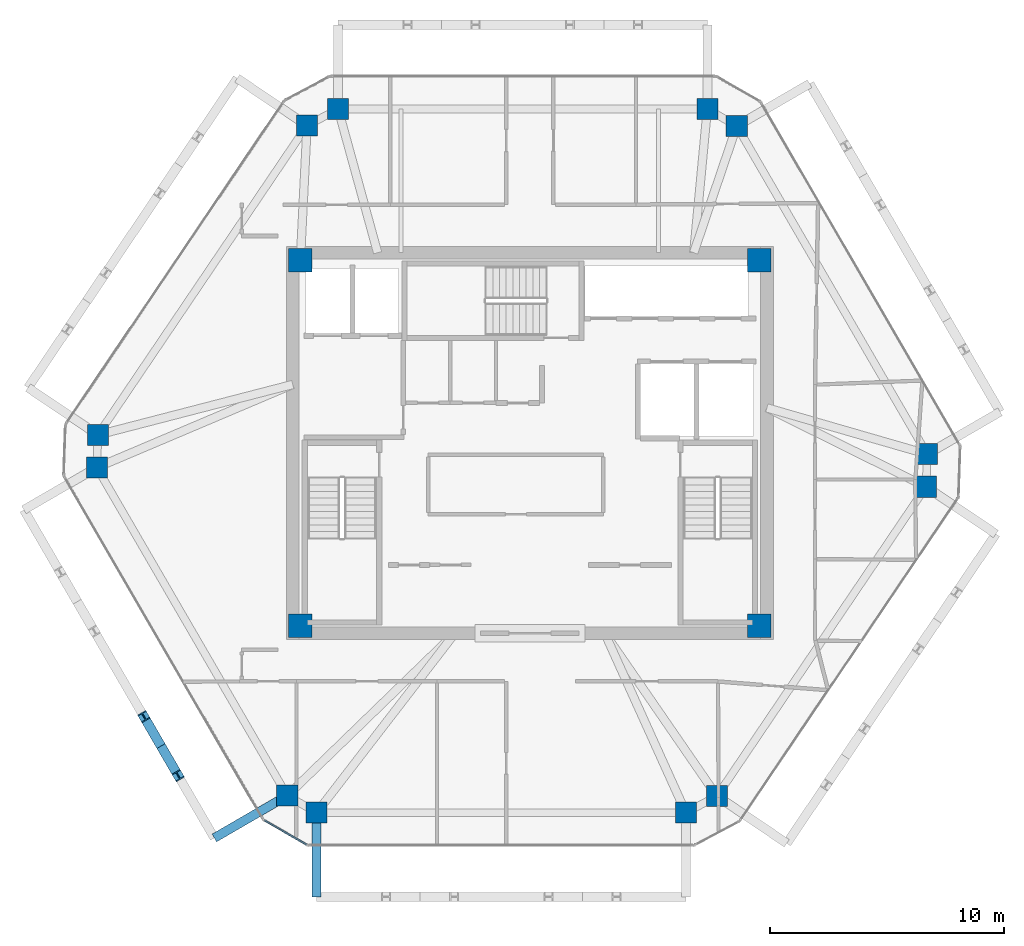
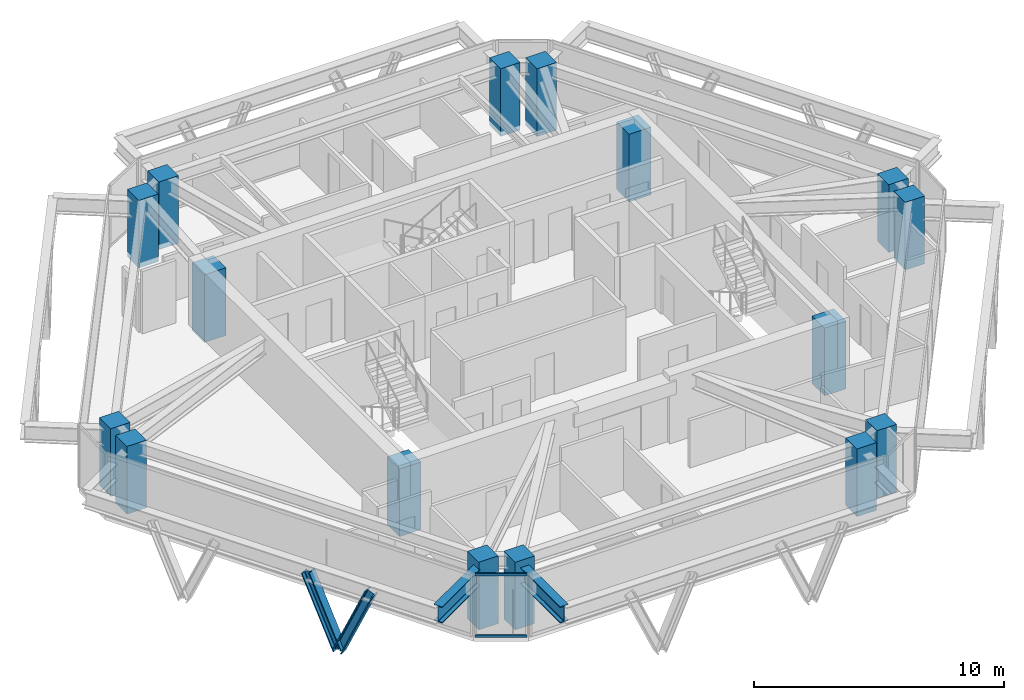
# One storey, part 1 of 11: 16 columns, 4 members, 2 beams, 1 element without a shape of its own.
"""IFC4 building model written with IfcOpenShell, lengths in metres."""

from ifc_helpers import new_model, si_unit, direction, frame, origin, origin_2d, place, context, subcontext, project, spatial, rectangle, i_section, extrude, source, transform, mapped, material, layer, layer_set, material_profile, profile_set, type_object, type_shapes, element, aggregate, save


model = new_model("IFC4")

# Units and contexts
model_context = context("Model", 3, precision=1e-05, world=origin(), true_north=direction((0.0, 1.0)))
body_context = subcontext(model_context, "Body", "Model", "MODEL_VIEW")
ifc_project = project(units=[si_unit("LENGTHUNIT", "METRE"), si_unit("AREAUNIT", "SQUARE_METRE"), si_unit("VOLUMEUNIT", "CUBIC_METRE"), si_unit("PLANEANGLEUNIT", "RADIAN"), si_unit("MASSUNIT", "GRAM", prefix="KILO")], contexts=[model_context])

# Site, building, storey
site_placement = place(None, origin())
site = spatial("IfcSite", under=ifc_project, at=site_placement, CompositionType="ELEMENT")
building_placement = place(site_placement, origin())
building = spatial("IfcBuilding", under=site, at=building_placement, Name="Durnholm Broadcast Tower", CompositionType="ELEMENT")
storey_placement = place(building_placement, frame((0.0, 0.0, 231.5)))
storey = spatial("IfcBuildingStorey", under=building, at=storey_placement, Name="L64", CompositionType="ELEMENT", Elevation=231.5)

# Columns
ifc_material_1 = material(Name="Concrete C70/85", Category="concrete")
ifc_material_profile_1 = material_profile(ifc_material_1, rectangle(XDim=1.0, YDim=1.0, at=origin_2d()), Name="RC1000X1000")
ifc_profile_set_1 = profile_set([ifc_material_profile_1], Name="Concrete C70/85")
column_type_1 = type_object("IfcColumnType", Name="COL-CC-1000", PredefinedType="COLUMN", material=ifc_profile_set_1)
shared_shape_1 = source(origin(), body_context, "Body", "SweptSolid", [
    extrude(rectangle(XDim=1.0, YDim=1.0, at=origin_2d()), origin(), (0.0, 0.0, 1.0), 3.300048828125),
])
type_shapes(column_type_1, [shared_shape_1])
for number, where, z_axis, x_axis, name in (
    (1, (-9.800048828125, -7.800048828125, -0.239990234375), (0.0, 0.0, 1.0), (1.0, 0.0, 0.0), "L64 core corner column 1"),
    (2, (9.800048828125, -7.800048828125, -0.239990234375), (0.0, 0.0, 1.0), (1.0, 0.0, 0.0), "L64 core corner column 2"),
    (3, (9.800048828125, 7.800048828125, -0.239990234375), (0.0, 0.0, 1.0), (1.0, 0.0, 0.0), "L64 core corner column 3"),
    (4, (-9.800048828125, 7.800048828125, -0.239990234375), (0.0, 0.0, 1.0), (1.0, 0.0, 0.0), "L64 core corner column 4"),
):
    element("IfcColumn", number, at=place(storey_placement, frame(where, z_axis=z_axis, x_axis=x_axis)), inside=storey, type_object=column_type_1, Name=name, PredefinedType="COLUMN", context=body_context, shape_type="MappedRepresentation", body=[
        mapped(shared_shape_1, transform((0.0, 0.0, 0.0), x_axis=(1.0, 0.0, 0.0), y_axis=(0.0, 1.0, 0.0), z_axis=(0.0, 0.0, 1.0), scale=1.0)),
    ])
ifc_material_profile_2 = material_profile(ifc_material_1, rectangle(XDim=0.89990234375, YDim=0.89990234375, at=origin_2d()), Name="RC900X900")
ifc_profile_set_2 = profile_set([ifc_material_profile_2], Name="Concrete C70/85")
column_type_2 = type_object("IfcColumnType", Name="COL-CC-900", PredefinedType="COLUMN", material=ifc_profile_set_2)
shared_shape_2 = source(origin(), body_context, "Body", "SweptSolid", [
    extrude(rectangle(XDim=0.89990234375, YDim=0.89990234375, at=origin_2d()), origin(), (0.0, 0.0, 1.0), 3.300048828125),
])
type_shapes(column_type_2, [shared_shape_2])
for number, where, z_axis, x_axis, name in (
    (5, (-10.361328125, -15.061767578125, -0.239990234375), (0.0, 0.0, 1.0), (1.0, 0.0, 0.0), "L64 perimeter hexagonal tube column 01"),
    (6, (-18.494384765625, -1.0478515625, -0.239990234375), (0.0, 0.0, 1.0), (1.0, 0.0, 0.0), "L64 perimeter hexagonal tube column 02"),
    (7, (-18.4462890625, 0.345947265625, -0.239990234375), (0.0, 0.0, 1.0), (1.0, 0.0, 0.0), "L64 perimeter hexagonal tube column 03"),
    (8, (-9.514892578125, 13.557373046875, -0.239990234375), (0.0, 0.0, 1.0), (1.0, 0.0, 0.0), "L64 perimeter hexagonal tube column 04"),
    (9, (-8.187744140625, 14.261962890625, -0.239990234375), (0.0, 0.0, 1.0), (1.0, 0.0, 0.0), "L64 perimeter hexagonal tube column 05"),
    (10, (7.57958984375, 14.261962890625, -0.239990234375), (0.0, 0.0, 1.0), (1.0, 0.0, 0.0), "L64 perimeter hexagonal tube column 06"),
    (11, (8.83740234375, 13.53759765625, -0.239990234375), (0.0, 0.0, 1.0), (1.0, 0.0, 0.0), "L64 perimeter hexagonal tube column 07"),
    (12, (16.97021484375, -0.47607421875, -0.239990234375), (0.0, 0.0, 1.0), (1.0, 0.0, 0.0), "L64 perimeter hexagonal tube column 08"),
    (13, (16.92236328125, -1.869873046875, -0.239990234375), (0.0, 0.0, 1.0), (1.0, 0.0, 0.0), "L64 perimeter hexagonal tube column 09"),
    (14, (7.990966796875, -15.081298828125, -0.239990234375), (0.0, 0.0, 1.0), (1.0, 0.0, 0.0), "L64 perimeter hexagonal tube column 10"),
    (15, (6.663818359375, -15.785888671875, -0.239990234375), (0.0, 0.0, 1.0), (1.0, 0.0, 0.0), "L64 perimeter hexagonal tube column 11"),
    (16, (-9.103759765625, -15.785888671875, -0.239990234375), (0.0, 0.0, 1.0), (1.0, 0.0, 0.0), "L64 perimeter hexagonal tube column 12"),
):
    element("IfcColumn", number, at=place(storey_placement, frame(where, z_axis=z_axis, x_axis=x_axis)), inside=storey, type_object=column_type_2, Name=name, PredefinedType="COLUMN", context=body_context, shape_type="MappedRepresentation", body=[
        mapped(shared_shape_2, transform((0.0, 0.0, 0.0), x_axis=(1.0, 0.0, 0.0), y_axis=(0.0, 1.0, 0.0), z_axis=(0.0, 0.0, 1.0), scale=1.0)),
    ])

# Beams
ifc_material_2 = material(Name="Steel ASTM A992 Grade 50", Category="steel")
ifc_material_profile_3 = material_profile(ifc_material_2, i_section(OverallWidth=0.385009765625, OverallDepth=0.802978515625, WebThickness=0.023681640625, FlangeThickness=0.0419921875, FilletRadius=0.032958984375, at=origin_2d()), Name="W30X261")
ifc_profile_set_3 = profile_set([ifc_material_profile_3], Name="Steel ASTM A992 Grade 50")
beam_type = type_object("IfcBeamType", Name="BM-EXO-TIE", PredefinedType="USERDEFINED", material=ifc_profile_set_3)
shared_shape_3 = source(origin(), body_context, "Body", "SweptSolid", [
    extrude(i_section(OverallWidth=0.385009765625, OverallDepth=0.802978515625, WebThickness=0.023681640625, FlangeThickness=0.0419921875, FilletRadius=0.032958984375, at=origin_2d()), origin(), (0.0, 0.0, 1.0), 3.4560546875),
])
type_shapes(beam_type, [shared_shape_3])
for number, where, z_axis, x_axis, name in (
    (17, (-9.103759765625, -15.929931640625, 2.30859375), (0.0, -1.0, 0.0), (1.0, 0.0, 0.0), "L64 exoskeleton stand-off tie bracket F1.1"),
    (18, (-10.48583984375, -15.134033203125, 2.30859375), (-0.864924479231, -0.501902027518, 0.0), (0.501902027518, -0.864924479231, 0.0), "L64 exoskeleton stand-off tie bracket F6.2"),
):
    element("IfcBeam", number, at=place(storey_placement, frame(where, z_axis=z_axis, x_axis=x_axis)), inside=storey, type_object=beam_type, Name=name, ObjectType="GIRDER", PredefinedType="USERDEFINED", context=body_context, shape_type="MappedRepresentation", body=[
        mapped(shared_shape_3, transform((0.0, 0.0, 0.0), x_axis=(1.0, 0.0, 0.0), y_axis=(0.0, 1.0, 0.0), z_axis=(0.0, 0.0, 1.0), scale=1.0)),
    ])

# Members
ifc_material_3 = material(Name="Steel ASTM A913 Grade 65", Category="steel")
ifc_material_profile_4 = material_profile(ifc_material_3, i_section(OverallWidth=0.40625, OverallDepth=0.416015625, WebThickness=0.02978515625, FlangeThickness=0.048095703125, FilletRadius=0.030517578125, at=origin_2d()), Name="W14X257")
ifc_profile_set_4 = profile_set([ifc_material_profile_4], Name="Steel ASTM A913 Grade 65")
member_type_1 = type_object("IfcMemberType", Name="STL-DG-W14X257", PredefinedType="BRACE", material=ifc_profile_set_4)
shared_shape_4 = source(origin(), body_context, "Body", "SweptSolid", [
    extrude(i_section(OverallWidth=0.40625, OverallDepth=0.416015625, WebThickness=0.02978515625, FlangeThickness=0.048095703125, FilletRadius=0.030517578125, at=origin_2d()), origin(), (0.0, 0.0, 1.0), 3.60791015625),
])
type_shapes(member_type_1, [shared_shape_4])
for number, where, z_axis, x_axis, name in (
    (19, (-15.752197265625, -12.94482421875, -0.991455078125), (-0.202871189729, 0.349577240207, 0.914679743685), (-0.864906184135, -0.501933554014, 0.0), "L64 stand-off diagrid brace F6.D2.1"),
    (20, (-15.752197265625, -12.94482421875, -0.991455078125), (0.202871189729, -0.349577240207, 0.914679743685), (0.864906184135, 0.501933554014, 0.0), "L64 stand-off diagrid brace F6.D2.2"),
):
    element("IfcMember", number, at=place(storey_placement, frame(where, z_axis=z_axis, x_axis=x_axis)), inside=storey, type_object=member_type_1, Name=name, PredefinedType="BRACE", context=body_context, shape_type="MappedRepresentation", body=[
        mapped(shared_shape_4, transform((0.0, 0.0, 0.0), x_axis=(1.0, 0.0, 0.0), y_axis=(0.0, 1.0, 0.0), z_axis=(0.0, 0.0, 1.0), scale=1.0)),
    ])

# Curtain wall, members
ifc_material_4 = material(Name="Aluminium and Solar Control IGU", Category="aluminium")
ifc_layer = layer(ifc_material_4, 0.1650390625)
ifc_layer_set = layer_set([ifc_layer], Name="Aluminium and Solar Control IGU")
curtain_wall_type = type_object("IfcCurtainWallType", Name="CW-SYS-5", PredefinedType="NOTDEFINED", material=ifc_layer_set)
curtain_wall_placement = place(storey_placement, origin())
curtain_wall = element("IfcCurtainWall", 21, at=curtain_wall_placement, inside=storey, type_object=curtain_wall_type, Name="L64 curtain wall CW-CORNER CW-L64-CRN-11", PredefinedType="NOTDEFINED")
ifc_material_5 = material(Name="Aluminium 6063-T6", Category="aluminium")
ifc_material_profile_5 = material_profile(ifc_material_5, rectangle(XDim=0.06494140625, YDim=0.1298828125, at=origin_2d()), Name="CWT65X130")
ifc_profile_set_5 = profile_set([ifc_material_profile_5], Name="Aluminium 6063-T6")
member_type_2 = type_object("IfcMemberType", Name="CW-SYS-5-TRN", PredefinedType="USERDEFINED", material=ifc_profile_set_5)
shared_shape_5 = source(origin(), body_context, "Body", "SweptSolid", [
    extrude(rectangle(XDim=0.06494140625, YDim=0.1298828125, at=origin_2d()), origin(), (0.0, 0.0, 1.0), 2.06982421875),
])
type_shapes(member_type_2, [shared_shape_5])
member_1_placement = place(storey_placement, frame((-9.534423828125, -17.153564453125, 0.032470703125), z_axis=(-0.866576086718, 0.499044973854, 0.0), x_axis=(-0.499044973854, -0.866576086718, 0.0)))
member_1 = element("IfcMember", 22, at=member_1_placement, type_object=member_type_2, Name="CW-CORNER transom 1.1", ObjectType="TRANSOM", PredefinedType="USERDEFINED", context=body_context, shape_type="MappedRepresentation", body=[
    mapped(shared_shape_5, transform((0.0, 0.0, 0.0), x_axis=(1.0, 0.0, 0.0), y_axis=(0.0, 1.0, 0.0), z_axis=(0.0, 0.0, 1.0), scale=1.0)),
])
member_2_placement = place(storey_placement, frame((-9.534423828125, -17.153564453125, 3.027587890625), z_axis=(-0.866576086718, 0.499044973854, 0.0), x_axis=(-0.499044973854, -0.866576086718, 0.0)))
member_2 = element("IfcMember", 23, at=member_2_placement, type_object=member_type_2, Name="CW-CORNER transom 1.2", ObjectType="TRANSOM", PredefinedType="USERDEFINED", context=body_context, shape_type="MappedRepresentation", body=[
    mapped(shared_shape_5, transform((0.0, 0.0, 0.0), x_axis=(1.0, 0.0, 0.0), y_axis=(0.0, 1.0, 0.0), z_axis=(0.0, 0.0, 1.0), scale=1.0)),
])
aggregate(curtain_wall, [member_1, member_2])

save(model, "model.ifc")
